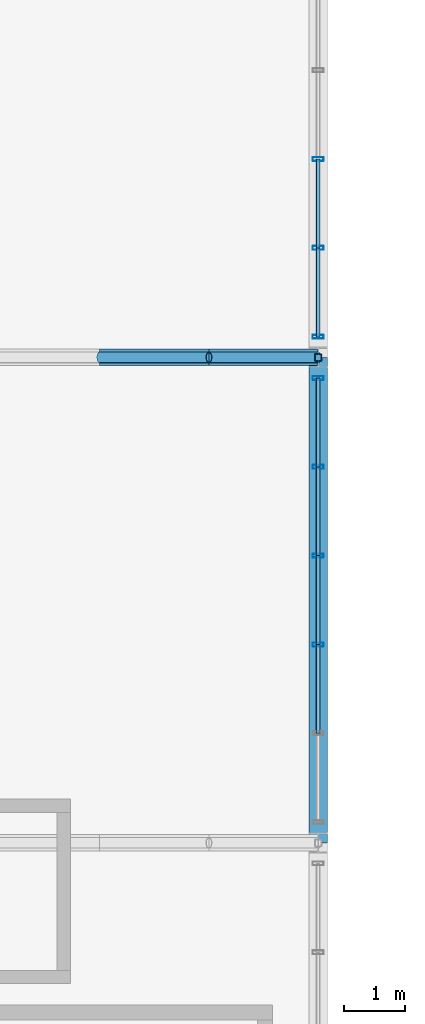
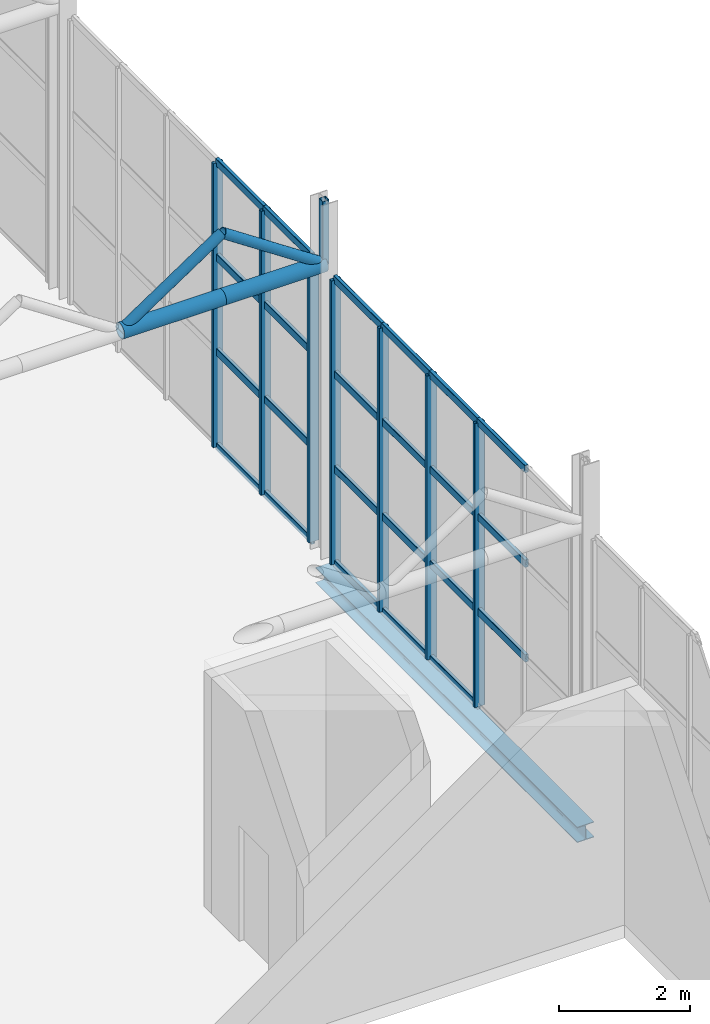
# One storey, part 92 of 153: 35 members, 1 beam, 2 elements without a shape of their own.
"""IFC4 building model written with IfcOpenShell, lengths in metres."""

from ifc_helpers import new_model, si_unit, derived_unit, direction, frame, origin, origin_2d, place, context, subcontext, project, spatial, hollow_rectangle, hollow_circle, i_section, extrude, material, material_profile, profile_set, type_object, element, aggregate, save


model = new_model("IFC4")

# Units and contexts
model_context = context("Model", 3, precision=1e-05, world=origin(), true_north=direction((0.0, 1.0)))
body_context = subcontext(model_context, "Body", "Model", "MODEL_VIEW")
ifc_project = project(units=[si_unit("LENGTHUNIT", "METRE"), si_unit("AREAUNIT", "SQUARE_METRE"), si_unit("VOLUMEUNIT", "CUBIC_METRE"), si_unit("PLANEANGLEUNIT", "RADIAN"), si_unit("MASSUNIT", "GRAM", prefix="KILO"), derived_unit("THERMALTRANSMITTANCEUNIT", [(si_unit("POWERUNIT", "WATT"), 1), (si_unit("LENGTHUNIT", "METRE"), -2), (si_unit("THERMODYNAMICTEMPERATUREUNIT", "KELVIN"), -1)])], contexts=[model_context])

# Site, building, storey
site_placement = place(None, origin())
site = spatial("IfcSite", under=ifc_project, at=site_placement, CompositionType="ELEMENT")
building_placement = place(site_placement, origin())
building = spatial("IfcBuilding", under=site, at=building_placement, Name="Keldorne Ridge Multi-Sports Centre", CompositionType="ELEMENT")
storey_placement = place(building_placement, frame((0.0, 0.0, 9.60009765625)))
storey = spatial("IfcBuildingStorey", under=building, at=storey_placement, Name="L02", CompositionType="ELEMENT", Elevation=9.60009765625)

# Beam
ifc_material_1 = material(Name="Steel S355", Category="steel")
ifc_material_profile_1 = material_profile(ifc_material_1, i_section(OverallWidth=0.300048828125, OverallDepth=0.2900390625, WebThickness=0.008544921875, FlangeThickness=0.013916015625, FilletRadius=0.027099609375, at=origin_2d()), Name="HEA 300")
ifc_profile_set_1 = profile_set([ifc_material_profile_1], Name="Steel S355")
beam_type = type_object("IfcBeamType", Name="BM-SP-04", PredefinedType="SPANDREL", material=ifc_profile_set_1)
beam_placement = place(storey_placement, frame((42.0, 82.0, -0.39013671875), z_axis=(0.0, 1.0, 0.0), x_axis=(-1.0, 0.0, 0.0)))
element("IfcBeam", 1, at=beam_placement, inside=storey, type_object=beam_type, Name="Climbing east spandrel L02.2", PredefinedType="SPANDREL", context=body_context, shape_type="SweptSolid", body=[
    extrude(i_section(OverallWidth=0.300048828125, OverallDepth=0.2900390625, WebThickness=0.008544921875, FlangeThickness=0.013916015625, FilletRadius=0.027099609375, at=origin_2d()), origin(), (0.0, 0.0, 1.0), 8.0),
])

# Curtain wall, members
ifc_material_2 = material(Name="Anodized aluminium", Category="aluminium")
curtain_wall_type_1 = type_object("IfcCurtainWallType", Name="CW-CW-07", PredefinedType="NOTDEFINED", material=ifc_material_2)
curtain_wall_1_placement = place(storey_placement, origin())
curtain_wall_1 = element("IfcCurtainWall", 2, at=curtain_wall_1_placement, inside=storey, type_object=curtain_wall_type_1, Name="Climbing east courtyard glazing L02 063", PredefinedType="NOTDEFINED")
ifc_material_profile_2 = material_profile(ifc_material_2, hollow_rectangle(XDim=0.06494140625, YDim=0.179931640625, WallThickness=0.00439453125, InnerFilletRadius=0.00439453125, OuterFilletRadius=0.009033203125, at=origin_2d()), Name="ALU MULLION 180x65x4.5")
ifc_profile_set_2 = profile_set([ifc_material_profile_2], Name="Anodized aluminium")
member_type_1 = type_object("IfcMemberType", Name="MEM-ML-01", PredefinedType="MULLION", material=ifc_profile_set_2)
member_1_placement = place(storey_placement, frame((42.0, 85.26806640625, 0.0), z_axis=(0.0, 0.0, 1.0), x_axis=(0.0, 1.0, 0.0)))
member_1 = element("IfcMember", 3, at=member_1_placement, type_object=member_type_1, Name="CW-063 vertical mullion 3", PredefinedType="MULLION", context=body_context, shape_type="SweptSolid", body=[
    extrude(hollow_rectangle(XDim=0.06494140625, YDim=0.179931640625, WallThickness=0.00439453125, InnerFilletRadius=0.00439453125, OuterFilletRadius=0.009033203125, at=origin_2d()), origin(), (0.0, 0.0, 1.0), 5.2998046875),
])
member_2_placement = place(storey_placement, frame((42.0, 86.73193359375, 0.0), z_axis=(0.0, 0.0, 1.0), x_axis=(0.0, 1.0, 0.0)))
member_2 = element("IfcMember", 4, at=member_2_placement, type_object=member_type_1, Name="CW-063 vertical mullion 4", PredefinedType="MULLION", context=body_context, shape_type="SweptSolid", body=[
    extrude(hollow_rectangle(XDim=0.06494140625, YDim=0.179931640625, WallThickness=0.00439453125, InnerFilletRadius=0.00439453125, OuterFilletRadius=0.009033203125, at=origin_2d()), origin(), (0.0, 0.0, 1.0), 5.2998046875),
])
member_3_placement = place(storey_placement, frame((42.0, 88.196044921875, 0.0), z_axis=(0.0, 0.0, 1.0), x_axis=(0.0, 1.0, 0.0)))
member_3 = element("IfcMember", 5, at=member_3_placement, type_object=member_type_1, Name="CW-063 vertical mullion 5", PredefinedType="MULLION", context=body_context, shape_type="SweptSolid", body=[
    extrude(hollow_rectangle(XDim=0.06494140625, YDim=0.179931640625, WallThickness=0.00439453125, InnerFilletRadius=0.00439453125, OuterFilletRadius=0.009033203125, at=origin_2d()), origin(), (0.0, 0.0, 1.0), 5.2998046875),
])
member_4_placement = place(storey_placement, frame((42.0, 89.659912109375, 0.0), z_axis=(0.0, 0.0, 1.0), x_axis=(0.0, 1.0, 0.0)))
member_4 = element("IfcMember", 6, at=member_4_placement, type_object=member_type_1, Name="CW-063 vertical mullion 6", PredefinedType="MULLION", context=body_context, shape_type="SweptSolid", body=[
    extrude(hollow_rectangle(XDim=0.06494140625, YDim=0.179931640625, WallThickness=0.00439453125, InnerFilletRadius=0.00439453125, OuterFilletRadius=0.009033203125, at=origin_2d()), origin(), (0.0, 0.0, 1.0), 5.2998046875),
])

curtain_wall_type_2 = type_object("IfcCurtainWallType", Name="CW-CW-02", PredefinedType="NOTDEFINED", material=ifc_material_2)
curtain_wall_2_placement = place(storey_placement, origin())
curtain_wall_2 = element("IfcCurtainWall", 7, at=curtain_wall_2_placement, inside=storey, type_object=curtain_wall_type_2, Name="Climbing east courtyard glazing L02 066", PredefinedType="NOTDEFINED")
member_5_placement = place(storey_placement, frame((42.0, 90.340087890625, 0.0), z_axis=(0.0, 0.0, 1.0), x_axis=(0.0, 1.0, 0.0)))
member_5 = element("IfcMember", 8, at=member_5_placement, type_object=member_type_1, Name="CW-066 vertical mullion 1", PredefinedType="MULLION", context=body_context, shape_type="SweptSolid", body=[
    extrude(hollow_rectangle(XDim=0.06494140625, YDim=0.179931640625, WallThickness=0.00439453125, InnerFilletRadius=0.00439453125, OuterFilletRadius=0.009033203125, at=origin_2d()), origin(), (0.0, 0.0, 1.0), 5.2998046875),
])
member_6_placement = place(storey_placement, frame((42.0, 91.803955078125, 0.0), z_axis=(0.0, 0.0, 1.0), x_axis=(0.0, 1.0, 0.0)))
member_6 = element("IfcMember", 9, at=member_6_placement, type_object=member_type_1, Name="CW-066 vertical mullion 2", PredefinedType="MULLION", context=body_context, shape_type="SweptSolid", body=[
    extrude(hollow_rectangle(XDim=0.06494140625, YDim=0.179931640625, WallThickness=0.00439453125, InnerFilletRadius=0.00439453125, OuterFilletRadius=0.009033203125, at=origin_2d()), origin(), (0.0, 0.0, 1.0), 5.2998046875),
])
member_7_placement = place(storey_placement, frame((42.0, 93.26806640625, 0.0), z_axis=(0.0, 0.0, 1.0), x_axis=(0.0, 1.0, 0.0)))
member_7 = element("IfcMember", 10, at=member_7_placement, type_object=member_type_1, Name="CW-066 vertical mullion 3", PredefinedType="MULLION", context=body_context, shape_type="SweptSolid", body=[
    extrude(hollow_rectangle(XDim=0.06494140625, YDim=0.179931640625, WallThickness=0.00439453125, InnerFilletRadius=0.00439453125, OuterFilletRadius=0.009033203125, at=origin_2d()), origin(), (0.0, 0.0, 1.0), 5.2998046875),
])

# Members
ifc_material_profile_3 = material_profile(ifc_material_1, hollow_circle(Radius=0.136474609375, WallThickness=0.012451171875, at=origin_2d()), Name="CHS 273x12.5")
ifc_profile_set_3 = profile_set([ifc_material_profile_3], Name="Steel S355")
member_type_2 = type_object("IfcMemberType", Name="MEM-TC-05", PredefinedType="CHORD", material=ifc_profile_set_3)
for number, where, z_axis, x_axis, name in (
    (11, (38.39990234375, 90.0, 5.3798828125), (1.0, 0.0, 0.0), (0.0, 1.0, 0.0), "Climbing sawtooth ROOF TRUSS ST-03 bottom chord 19"),
    (12, (40.199951171875, 90.0, 5.3798828125), (1.0, 0.0, 0.0), (0.0, 1.0, 0.0), "Climbing sawtooth ROOF TRUSS ST-03 bottom chord 20"),
):
    element("IfcMember", number, at=place(storey_placement, frame(where, z_axis=z_axis, x_axis=x_axis)), inside=storey, type_object=member_type_2, Name=name, PredefinedType="CHORD", context=body_context, shape_type="SweptSolid", body=[
        extrude(hollow_circle(Radius=0.136474609375, WallThickness=0.012451171875, at=origin_2d()), origin(), (0.0, 0.0, 1.0), 1.800048828125),
    ])
ifc_material_profile_4 = material_profile(ifc_material_1, hollow_circle(Radius=0.0888671875, WallThickness=0.010009765625, at=origin_2d()), Name="CHS 177.8x10")
ifc_profile_set_4 = profile_set([ifc_material_profile_4], Name="Steel S355")
member_type_3 = type_object("IfcMemberType", Name="MEM-TD-03", PredefinedType="BRACE", material=ifc_profile_set_4)
for number, where, z_axis, x_axis, name in (
    (13, (38.39990234375, 90.0, 5.3798828125), (0.832067655982, 0.0, 0.554674152876), (0.0, 1.0, 0.0), "Climbing sawtooth web diagonal 03.19"),
    (14, (40.199951171875, 90.0, 6.579833984375), (0.832067655982, 0.0, -0.554674152876), (0.0, 1.0, 0.0), "Climbing sawtooth web diagonal 03.20"),
):
    element("IfcMember", number, at=place(storey_placement, frame(where, z_axis=z_axis, x_axis=x_axis)), inside=storey, type_object=member_type_3, Name=name, PredefinedType="BRACE", context=body_context, shape_type="SweptSolid", body=[
        extrude(hollow_circle(Radius=0.0888671875, WallThickness=0.010009765625, at=origin_2d()), origin(), (0.0, 0.0, 1.0), 2.163330078125),
    ])

# Member
ifc_material_profile_5 = material_profile(ifc_material_2, hollow_rectangle(XDim=0.06494140625, YDim=0.139892578125, WallThickness=0.00439453125, InnerFilletRadius=0.00439453125, OuterFilletRadius=0.009033203125, at=origin_2d()), Name="ALU TRANSOM 140x65x4.5")
ifc_profile_set_5 = profile_set([ifc_material_profile_5], Name="Anodized aluminium")
member_type_4 = type_object("IfcMemberType", Name="MEM-TR-01", PredefinedType="USERDEFINED", material=ifc_profile_set_5)
member_8_placement = place(storey_placement, frame((42.0, 83.803955078125, 1.7666015625), z_axis=(0.0, 1.0, 0.0), x_axis=(-1.0, 0.0, 0.0)))
member_8 = element("IfcMember", 15, at=member_8_placement, type_object=member_type_4, Name="CW-063 transom 2.2", ObjectType="TRANSOM", PredefinedType="USERDEFINED", context=body_context, shape_type="SweptSolid", body=[
    extrude(hollow_rectangle(XDim=0.06494140625, YDim=0.139892578125, WallThickness=0.00439453125, InnerFilletRadius=0.00439453125, OuterFilletRadius=0.009033203125, at=origin_2d()), origin(), (0.0, 0.0, 1.0), 1.464111328125),
])

member_9_placement = place(storey_placement, frame((42.0, 83.803955078125, 3.533203125), z_axis=(0.0, 1.0, 0.0), x_axis=(-1.0, 0.0, 0.0)))
member_9 = element("IfcMember", 16, at=member_9_placement, type_object=member_type_4, Name="CW-063 transom 2.3", ObjectType="TRANSOM", PredefinedType="USERDEFINED", context=body_context, shape_type="SweptSolid", body=[
    extrude(hollow_rectangle(XDim=0.06494140625, YDim=0.139892578125, WallThickness=0.00439453125, InnerFilletRadius=0.00439453125, OuterFilletRadius=0.009033203125, at=origin_2d()), origin(), (0.0, 0.0, 1.0), 1.464111328125),
])

member_10_placement = place(storey_placement, frame((42.0, 83.803955078125, 5.2998046875), z_axis=(0.0, 1.0, 0.0), x_axis=(-1.0, 0.0, 0.0)))
member_10 = element("IfcMember", 17, at=member_10_placement, type_object=member_type_4, Name="CW-063 transom 2.4", ObjectType="TRANSOM", PredefinedType="USERDEFINED", context=body_context, shape_type="SweptSolid", body=[
    extrude(hollow_rectangle(XDim=0.06494140625, YDim=0.139892578125, WallThickness=0.00439453125, InnerFilletRadius=0.00439453125, OuterFilletRadius=0.009033203125, at=origin_2d()), origin(), (0.0, 0.0, 1.0), 1.464111328125),
])

member_11_placement = place(storey_placement, frame((42.0, 85.26806640625, 0.0), z_axis=(0.0, 1.0, 0.0), x_axis=(-1.0, 0.0, 0.0)))
member_11 = element("IfcMember", 18, at=member_11_placement, type_object=member_type_4, Name="CW-063 transom 3.1", ObjectType="TRANSOM", PredefinedType="USERDEFINED", context=body_context, shape_type="SweptSolid", body=[
    extrude(hollow_rectangle(XDim=0.06494140625, YDim=0.139892578125, WallThickness=0.00439453125, InnerFilletRadius=0.00439453125, OuterFilletRadius=0.009033203125, at=origin_2d()), origin(), (0.0, 0.0, 1.0), 1.4638671875),
])

member_12_placement = place(storey_placement, frame((42.0, 85.26806640625, 1.7666015625), z_axis=(0.0, 1.0, 0.0), x_axis=(-1.0, 0.0, 0.0)))
member_12 = element("IfcMember", 19, at=member_12_placement, type_object=member_type_4, Name="CW-063 transom 3.2", ObjectType="TRANSOM", PredefinedType="USERDEFINED", context=body_context, shape_type="SweptSolid", body=[
    extrude(hollow_rectangle(XDim=0.06494140625, YDim=0.139892578125, WallThickness=0.00439453125, InnerFilletRadius=0.00439453125, OuterFilletRadius=0.009033203125, at=origin_2d()), origin(), (0.0, 0.0, 1.0), 1.4638671875),
])

member_13_placement = place(storey_placement, frame((42.0, 85.26806640625, 3.533203125), z_axis=(0.0, 1.0, 0.0), x_axis=(-1.0, 0.0, 0.0)))
member_13 = element("IfcMember", 20, at=member_13_placement, type_object=member_type_4, Name="CW-063 transom 3.3", ObjectType="TRANSOM", PredefinedType="USERDEFINED", context=body_context, shape_type="SweptSolid", body=[
    extrude(hollow_rectangle(XDim=0.06494140625, YDim=0.139892578125, WallThickness=0.00439453125, InnerFilletRadius=0.00439453125, OuterFilletRadius=0.009033203125, at=origin_2d()), origin(), (0.0, 0.0, 1.0), 1.4638671875),
])

member_14_placement = place(storey_placement, frame((42.0, 85.26806640625, 5.2998046875), z_axis=(0.0, 1.0, 0.0), x_axis=(-1.0, 0.0, 0.0)))
member_14 = element("IfcMember", 21, at=member_14_placement, type_object=member_type_4, Name="CW-063 transom 3.4", ObjectType="TRANSOM", PredefinedType="USERDEFINED", context=body_context, shape_type="SweptSolid", body=[
    extrude(hollow_rectangle(XDim=0.06494140625, YDim=0.139892578125, WallThickness=0.00439453125, InnerFilletRadius=0.00439453125, OuterFilletRadius=0.009033203125, at=origin_2d()), origin(), (0.0, 0.0, 1.0), 1.4638671875),
])

member_15_placement = place(storey_placement, frame((42.0, 86.73193359375, 0.0), z_axis=(0.0, 1.0, 0.0), x_axis=(-1.0, 0.0, 0.0)))
member_15 = element("IfcMember", 22, at=member_15_placement, type_object=member_type_4, Name="CW-063 transom 4.1", ObjectType="TRANSOM", PredefinedType="USERDEFINED", context=body_context, shape_type="SweptSolid", body=[
    extrude(hollow_rectangle(XDim=0.06494140625, YDim=0.139892578125, WallThickness=0.00439453125, InnerFilletRadius=0.00439453125, OuterFilletRadius=0.009033203125, at=origin_2d()), origin(), (0.0, 0.0, 1.0), 1.464111328125),
])

member_16_placement = place(storey_placement, frame((42.0, 86.73193359375, 1.7666015625), z_axis=(0.0, 1.0, 0.0), x_axis=(-1.0, 0.0, 0.0)))
member_16 = element("IfcMember", 23, at=member_16_placement, type_object=member_type_4, Name="CW-063 transom 4.2", ObjectType="TRANSOM", PredefinedType="USERDEFINED", context=body_context, shape_type="SweptSolid", body=[
    extrude(hollow_rectangle(XDim=0.06494140625, YDim=0.139892578125, WallThickness=0.00439453125, InnerFilletRadius=0.00439453125, OuterFilletRadius=0.009033203125, at=origin_2d()), origin(), (0.0, 0.0, 1.0), 1.464111328125),
])

member_17_placement = place(storey_placement, frame((42.0, 86.73193359375, 3.533203125), z_axis=(0.0, 1.0, 0.0), x_axis=(-1.0, 0.0, 0.0)))
member_17 = element("IfcMember", 24, at=member_17_placement, type_object=member_type_4, Name="CW-063 transom 4.3", ObjectType="TRANSOM", PredefinedType="USERDEFINED", context=body_context, shape_type="SweptSolid", body=[
    extrude(hollow_rectangle(XDim=0.06494140625, YDim=0.139892578125, WallThickness=0.00439453125, InnerFilletRadius=0.00439453125, OuterFilletRadius=0.009033203125, at=origin_2d()), origin(), (0.0, 0.0, 1.0), 1.464111328125),
])

member_18_placement = place(storey_placement, frame((42.0, 86.73193359375, 5.2998046875), z_axis=(0.0, 1.0, 0.0), x_axis=(-1.0, 0.0, 0.0)))
member_18 = element("IfcMember", 25, at=member_18_placement, type_object=member_type_4, Name="CW-063 transom 4.4", ObjectType="TRANSOM", PredefinedType="USERDEFINED", context=body_context, shape_type="SweptSolid", body=[
    extrude(hollow_rectangle(XDim=0.06494140625, YDim=0.139892578125, WallThickness=0.00439453125, InnerFilletRadius=0.00439453125, OuterFilletRadius=0.009033203125, at=origin_2d()), origin(), (0.0, 0.0, 1.0), 1.464111328125),
])

member_19_placement = place(storey_placement, frame((42.0, 88.196044921875, 0.0), z_axis=(0.0, 1.0, 0.0), x_axis=(-1.0, 0.0, 0.0)))
member_19 = element("IfcMember", 26, at=member_19_placement, type_object=member_type_4, Name="CW-063 transom 5.1", ObjectType="TRANSOM", PredefinedType="USERDEFINED", context=body_context, shape_type="SweptSolid", body=[
    extrude(hollow_rectangle(XDim=0.06494140625, YDim=0.139892578125, WallThickness=0.00439453125, InnerFilletRadius=0.00439453125, OuterFilletRadius=0.009033203125, at=origin_2d()), origin(), (0.0, 0.0, 1.0), 1.4638671875),
])

member_20_placement = place(storey_placement, frame((42.0, 88.196044921875, 1.7666015625), z_axis=(0.0, 1.0, 0.0), x_axis=(-1.0, 0.0, 0.0)))
member_20 = element("IfcMember", 27, at=member_20_placement, type_object=member_type_4, Name="CW-063 transom 5.2", ObjectType="TRANSOM", PredefinedType="USERDEFINED", context=body_context, shape_type="SweptSolid", body=[
    extrude(hollow_rectangle(XDim=0.06494140625, YDim=0.139892578125, WallThickness=0.00439453125, InnerFilletRadius=0.00439453125, OuterFilletRadius=0.009033203125, at=origin_2d()), origin(), (0.0, 0.0, 1.0), 1.4638671875),
])

member_21_placement = place(storey_placement, frame((42.0, 88.196044921875, 3.533203125), z_axis=(0.0, 1.0, 0.0), x_axis=(-1.0, 0.0, 0.0)))
member_21 = element("IfcMember", 28, at=member_21_placement, type_object=member_type_4, Name="CW-063 transom 5.3", ObjectType="TRANSOM", PredefinedType="USERDEFINED", context=body_context, shape_type="SweptSolid", body=[
    extrude(hollow_rectangle(XDim=0.06494140625, YDim=0.139892578125, WallThickness=0.00439453125, InnerFilletRadius=0.00439453125, OuterFilletRadius=0.009033203125, at=origin_2d()), origin(), (0.0, 0.0, 1.0), 1.4638671875),
])

member_22_placement = place(storey_placement, frame((42.0, 88.196044921875, 5.2998046875), z_axis=(0.0, 1.0, 0.0), x_axis=(-1.0, 0.0, 0.0)))
member_22 = element("IfcMember", 29, at=member_22_placement, type_object=member_type_4, Name="CW-063 transom 5.4", ObjectType="TRANSOM", PredefinedType="USERDEFINED", context=body_context, shape_type="SweptSolid", body=[
    extrude(hollow_rectangle(XDim=0.06494140625, YDim=0.139892578125, WallThickness=0.00439453125, InnerFilletRadius=0.00439453125, OuterFilletRadius=0.009033203125, at=origin_2d()), origin(), (0.0, 0.0, 1.0), 1.4638671875),
])

aggregate(curtain_wall_1, [member_1, member_2, member_3, member_4, member_8, member_9, member_10, member_11, member_12, member_13, member_14, member_15, member_16, member_17, member_18, member_19, member_20, member_21, member_22])

member_23_placement = place(storey_placement, frame((42.0, 90.340087890625, 0.0), z_axis=(0.0, 1.0, 0.0), x_axis=(-1.0, 0.0, 0.0)))
member_23 = element("IfcMember", 30, at=member_23_placement, type_object=member_type_4, Name="CW-066 transom 1.1", ObjectType="TRANSOM", PredefinedType="USERDEFINED", context=body_context, shape_type="SweptSolid", body=[
    extrude(hollow_rectangle(XDim=0.06494140625, YDim=0.139892578125, WallThickness=0.00439453125, InnerFilletRadius=0.00439453125, OuterFilletRadius=0.009033203125, at=origin_2d()), origin(), (0.0, 0.0, 1.0), 1.4638671875),
])

member_24_placement = place(storey_placement, frame((42.0, 90.340087890625, 1.7666015625), z_axis=(0.0, 1.0, 0.0), x_axis=(-1.0, 0.0, 0.0)))
member_24 = element("IfcMember", 31, at=member_24_placement, type_object=member_type_4, Name="CW-066 transom 1.2", ObjectType="TRANSOM", PredefinedType="USERDEFINED", context=body_context, shape_type="SweptSolid", body=[
    extrude(hollow_rectangle(XDim=0.06494140625, YDim=0.139892578125, WallThickness=0.00439453125, InnerFilletRadius=0.00439453125, OuterFilletRadius=0.009033203125, at=origin_2d()), origin(), (0.0, 0.0, 1.0), 1.4638671875),
])

member_25_placement = place(storey_placement, frame((42.0, 90.340087890625, 3.533203125), z_axis=(0.0, 1.0, 0.0), x_axis=(-1.0, 0.0, 0.0)))
member_25 = element("IfcMember", 32, at=member_25_placement, type_object=member_type_4, Name="CW-066 transom 1.3", ObjectType="TRANSOM", PredefinedType="USERDEFINED", context=body_context, shape_type="SweptSolid", body=[
    extrude(hollow_rectangle(XDim=0.06494140625, YDim=0.139892578125, WallThickness=0.00439453125, InnerFilletRadius=0.00439453125, OuterFilletRadius=0.009033203125, at=origin_2d()), origin(), (0.0, 0.0, 1.0), 1.4638671875),
])

member_26_placement = place(storey_placement, frame((42.0, 90.340087890625, 5.2998046875), z_axis=(0.0, 1.0, 0.0), x_axis=(-1.0, 0.0, 0.0)))
member_26 = element("IfcMember", 33, at=member_26_placement, type_object=member_type_4, Name="CW-066 transom 1.4", ObjectType="TRANSOM", PredefinedType="USERDEFINED", context=body_context, shape_type="SweptSolid", body=[
    extrude(hollow_rectangle(XDim=0.06494140625, YDim=0.139892578125, WallThickness=0.00439453125, InnerFilletRadius=0.00439453125, OuterFilletRadius=0.009033203125, at=origin_2d()), origin(), (0.0, 0.0, 1.0), 1.4638671875),
])

member_27_placement = place(storey_placement, frame((42.0, 91.803955078125, 0.0), z_axis=(0.0, 1.0, 0.0), x_axis=(-1.0, 0.0, 0.0)))
member_27 = element("IfcMember", 34, at=member_27_placement, type_object=member_type_4, Name="CW-066 transom 2.1", ObjectType="TRANSOM", PredefinedType="USERDEFINED", context=body_context, shape_type="SweptSolid", body=[
    extrude(hollow_rectangle(XDim=0.06494140625, YDim=0.139892578125, WallThickness=0.00439453125, InnerFilletRadius=0.00439453125, OuterFilletRadius=0.009033203125, at=origin_2d()), origin(), (0.0, 0.0, 1.0), 1.464111328125),
])

member_28_placement = place(storey_placement, frame((42.0, 91.803955078125, 1.7666015625), z_axis=(0.0, 1.0, 0.0), x_axis=(-1.0, 0.0, 0.0)))
member_28 = element("IfcMember", 35, at=member_28_placement, type_object=member_type_4, Name="CW-066 transom 2.2", ObjectType="TRANSOM", PredefinedType="USERDEFINED", context=body_context, shape_type="SweptSolid", body=[
    extrude(hollow_rectangle(XDim=0.06494140625, YDim=0.139892578125, WallThickness=0.00439453125, InnerFilletRadius=0.00439453125, OuterFilletRadius=0.009033203125, at=origin_2d()), origin(), (0.0, 0.0, 1.0), 1.464111328125),
])

member_29_placement = place(storey_placement, frame((42.0, 91.803955078125, 3.533203125), z_axis=(0.0, 1.0, 0.0), x_axis=(-1.0, 0.0, 0.0)))
member_29 = element("IfcMember", 36, at=member_29_placement, type_object=member_type_4, Name="CW-066 transom 2.3", ObjectType="TRANSOM", PredefinedType="USERDEFINED", context=body_context, shape_type="SweptSolid", body=[
    extrude(hollow_rectangle(XDim=0.06494140625, YDim=0.139892578125, WallThickness=0.00439453125, InnerFilletRadius=0.00439453125, OuterFilletRadius=0.009033203125, at=origin_2d()), origin(), (0.0, 0.0, 1.0), 1.464111328125),
])

member_30_placement = place(storey_placement, frame((42.0, 91.803955078125, 5.2998046875), z_axis=(0.0, 1.0, 0.0), x_axis=(-1.0, 0.0, 0.0)))
member_30 = element("IfcMember", 37, at=member_30_placement, type_object=member_type_4, Name="CW-066 transom 2.4", ObjectType="TRANSOM", PredefinedType="USERDEFINED", context=body_context, shape_type="SweptSolid", body=[
    extrude(hollow_rectangle(XDim=0.06494140625, YDim=0.139892578125, WallThickness=0.00439453125, InnerFilletRadius=0.00439453125, OuterFilletRadius=0.009033203125, at=origin_2d()), origin(), (0.0, 0.0, 1.0), 1.464111328125),
])

aggregate(curtain_wall_2, [member_5, member_6, member_7, member_23, member_24, member_25, member_26, member_27, member_28, member_29, member_30])

ifc_material_profile_6 = material_profile(ifc_material_1, hollow_rectangle(XDim=0.1201171875, YDim=0.1201171875, WallThickness=0.008056640625, InnerFilletRadius=0.008056640625, OuterFilletRadius=0.01611328125, at=origin_2d()), Name="SHS 120x120x8")
ifc_profile_set_6 = profile_set([ifc_material_profile_6], Name="Steel S355")
member_type_5 = type_object("IfcMemberType", Name="MEM-TV-02", PredefinedType="STRUT", material=ifc_profile_set_6)
member_31_placement = place(storey_placement, frame((42.0, 90.0, 5.3798828125), z_axis=(0.0, 0.0, 1.0), x_axis=(1.0, 0.0, 0.0)))
element("IfcMember", 38, at=member_31_placement, inside=storey, type_object=member_type_5, Name="Climbing sawtooth vertical strut 03.6", PredefinedType="STRUT", context=body_context, shape_type="SweptSolid", body=[
    extrude(hollow_rectangle(XDim=0.1201171875, YDim=0.1201171875, WallThickness=0.008056640625, InnerFilletRadius=0.008056640625, OuterFilletRadius=0.01611328125, at=origin_2d()), origin(), (0.0, 0.0, 1.0), 1.199951171875),
])

save(model, "model.ifc")
